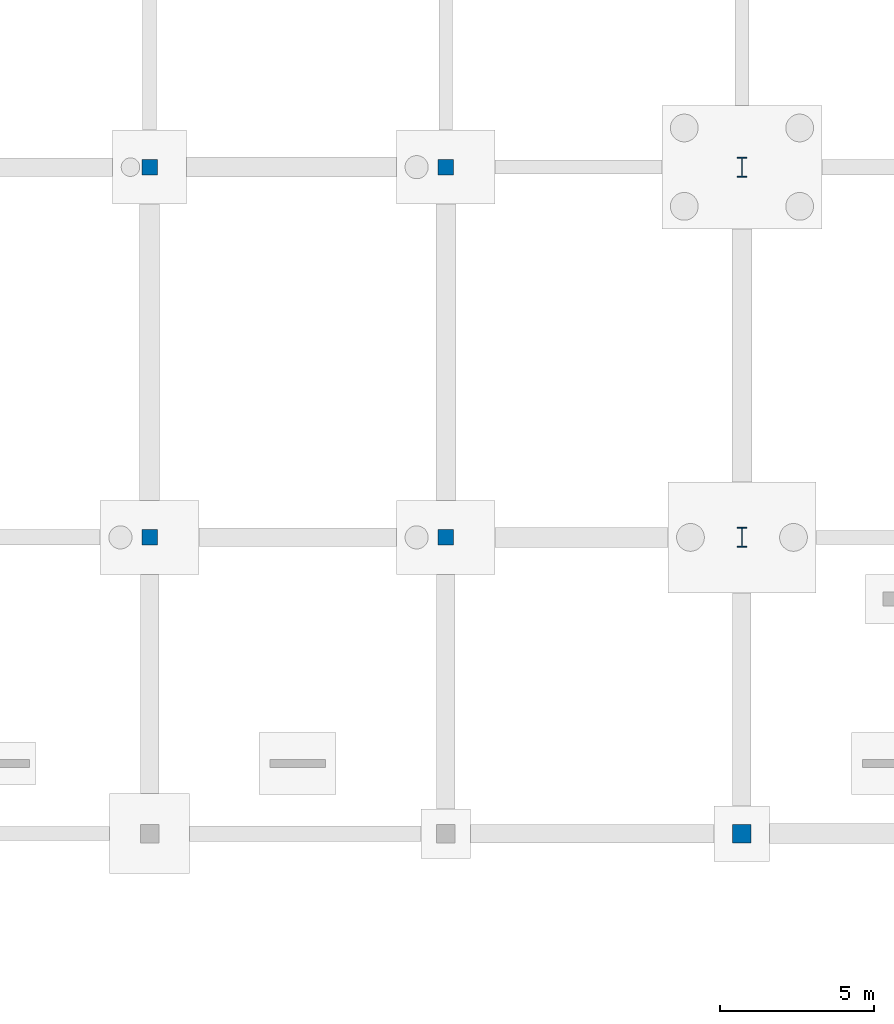
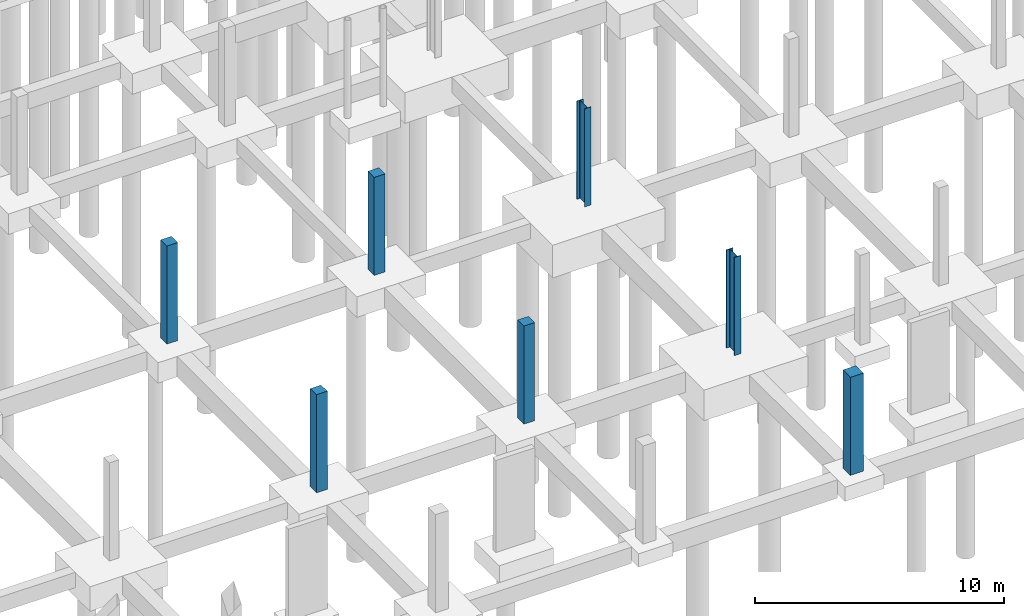
# One storey, part 8 of 31: 7 columns.
"""IFC4 building model written with IfcOpenShell, lengths in metres."""

from ifc_helpers import new_model, si_unit, direction, frame, origin, origin_2d, place, context, subcontext, project, spatial, rectangle, i_section, extrude, material, material_profile, profile_set, type_object, element, save


model = new_model("IFC4")

# Units and contexts
model_context = context("Model", 3, precision=1e-05, world=origin(), true_north=direction((0.0, 1.0)))
body_context = subcontext(model_context, "Body", "Model", "MODEL_VIEW")
ifc_project = project(units=[si_unit("LENGTHUNIT", "METRE"), si_unit("AREAUNIT", "SQUARE_METRE"), si_unit("VOLUMEUNIT", "CUBIC_METRE"), si_unit("PLANEANGLEUNIT", "RADIAN"), si_unit("MASSUNIT", "GRAM", prefix="KILO")], contexts=[model_context])

# Site, building, storey
site_placement = place(None, origin())
site = spatial("IfcSite", under=ifc_project, at=site_placement, CompositionType="ELEMENT")
building_placement = place(site_placement, origin())
building = spatial("IfcBuilding", under=site, at=building_placement, Name="Merenkruunu Market Hall", CompositionType="ELEMENT")
storey_placement = place(building_placement, frame((0.0, 0.0, -4.800048828125)))
storey = spatial("IfcBuildingStorey", under=building, at=storey_placement, Name="B1", CompositionType="ELEMENT", Elevation=-4.800048828125)

# Columns
ifc_material_1 = material(Name="Steel S355ML", Category="steel")
ifc_material_profile_1 = material_profile(ifc_material_1, i_section(OverallWidth=0.300048828125, OverallDepth=0.64990234375, WebThickness=0.01611328125, FlangeThickness=0.031005859375, FilletRadius=0.027099609375, at=origin_2d()), Name="HEB 650")
ifc_profile_set_1 = profile_set([ifc_material_profile_1], Name="Steel S355ML")
column_type_1 = type_object("IfcColumnType", Name="Structural Column C01", PredefinedType="COLUMN", material=ifc_profile_set_1)
for number, where, z_axis, x_axis, name in (
    (1, (57.60009765625, 15.60009765625, 0.0), (0.0, 0.0, 1.0), (1.0, 0.0, 0.0), "COL-B1-G-03"),
    (2, (57.60009765625, 27.60009765625, 0.0), (0.0, 0.0, 1.0), (1.0, 0.0, 0.0), "COL-B1-G-04"),
):
    element("IfcColumn", number, at=place(storey_placement, frame(where, z_axis=z_axis, x_axis=x_axis)), inside=storey, type_object=column_type_1, Name=name, PredefinedType="COLUMN", context=body_context, shape_type="SweptSolid", body=[
        extrude(i_section(OverallWidth=0.300048828125, OverallDepth=0.64990234375, WebThickness=0.01611328125, FlangeThickness=0.031005859375, FilletRadius=0.027099609375, at=origin_2d()), origin(), (0.0, 0.0, 1.0), 4.800048828125),
    ])
ifc_material_2 = material(Name="Concrete C35/45", Category="concrete")
ifc_material_profile_2 = material_profile(ifc_material_2, rectangle(XDim=0.60009765625, YDim=0.60009765625, at=origin_2d()), Name="RC 600x600")
ifc_profile_set_2 = profile_set([ifc_material_profile_2], Name="Concrete C35/45")
column_type_2 = type_object("IfcColumnType", Name="Structural Column C17", PredefinedType="COLUMN", material=ifc_profile_set_2)
column_placement = place(storey_placement, frame((57.60009765625, 6.0, 0.0), z_axis=(0.0, 0.0, 1.0), x_axis=(1.0, 0.0, 0.0)))
element("IfcColumn", 3, at=column_placement, inside=storey, type_object=column_type_2, Name="COL-B1-G-02", PredefinedType="COLUMN", context=body_context, shape_type="SweptSolid", body=[
    extrude(rectangle(XDim=0.60009765625, YDim=0.60009765625, at=origin_2d()), origin(), (0.0, 0.0, 1.0), 4.800048828125),
])
ifc_material_profile_3 = material_profile(ifc_material_2, rectangle(XDim=0.5, YDim=0.5, at=origin_2d()), Name="RC 500x500")
ifc_profile_set_3 = profile_set([ifc_material_profile_3], Name="Concrete C35/45")
column_type_3 = type_object("IfcColumnType", Name="Structural Column C18", PredefinedType="COLUMN", material=ifc_profile_set_3)
for number, where, z_axis, x_axis, name in (
    (4, (38.39990234375, 15.60009765625, 0.0), (0.0, 0.0, 1.0), (1.0, 0.0, 0.0), "COL-B1-E-03"),
    (5, (38.39990234375, 27.60009765625, 0.0), (0.0, 0.0, 1.0), (1.0, 0.0, 0.0), "COL-B1-E-04"),
    (6, (48.0, 15.60009765625, 0.0), (0.0, 0.0, 1.0), (1.0, 0.0, 0.0), "COL-B1-F-03"),
    (7, (48.0, 27.60009765625, 0.0), (0.0, 0.0, 1.0), (1.0, 0.0, 0.0), "COL-B1-F-04"),
):
    element("IfcColumn", number, at=place(storey_placement, frame(where, z_axis=z_axis, x_axis=x_axis)), inside=storey, type_object=column_type_3, Name=name, PredefinedType="COLUMN", context=body_context, shape_type="SweptSolid", body=[
        extrude(rectangle(XDim=0.5, YDim=0.5, at=origin_2d()), origin(), (0.0, 0.0, 1.0), 4.800048828125),
    ])

save(model, "model.ifc")
